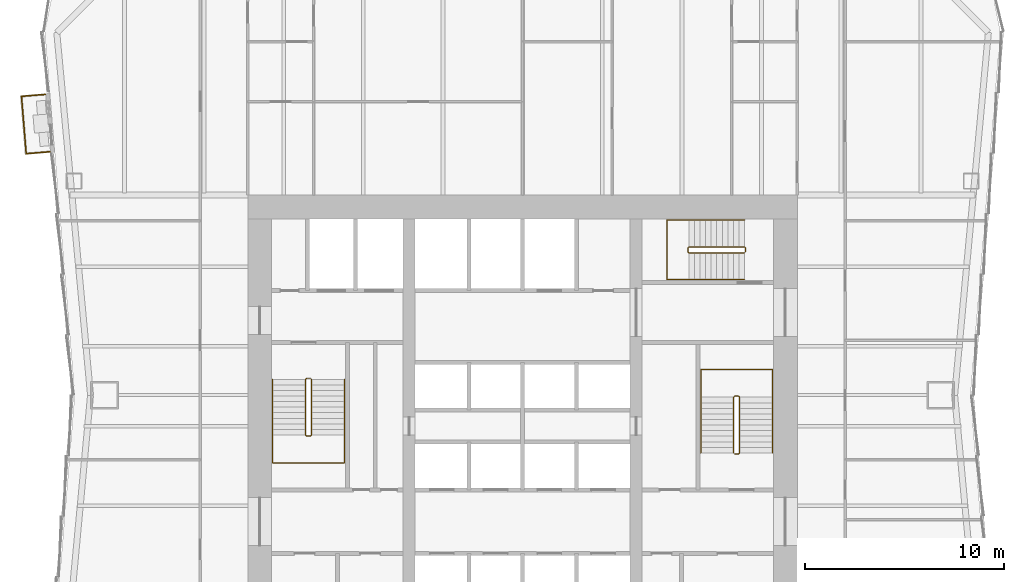
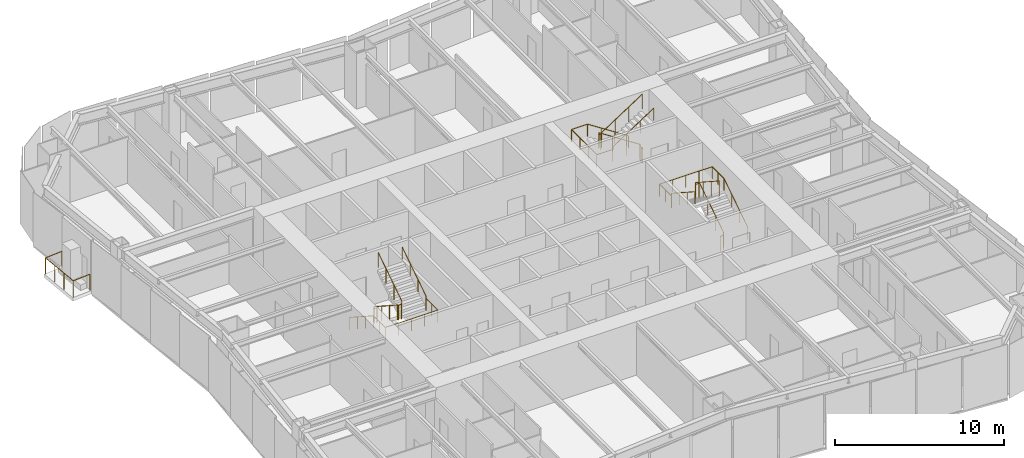
# One storey, part 8 of 9: 7 railings.
"""IFC4 building model written with IfcOpenShell, lengths in metres."""

from ifc_helpers import new_model, si_unit, direction, frame, origin, origin_2d, place, context, subcontext, project, spatial, circle, extrude, material, type_object, element, save


model = new_model("IFC4")

# Units and contexts
model_context = context("Model", 3, precision=1e-05, world=origin(), true_north=direction((0.0, 1.0)))
body_context = subcontext(model_context, "Body", "Model", "MODEL_VIEW")
ifc_project = project(units=[si_unit("LENGTHUNIT", "METRE"), si_unit("AREAUNIT", "SQUARE_METRE"), si_unit("VOLUMEUNIT", "CUBIC_METRE"), si_unit("PLANEANGLEUNIT", "RADIAN"), si_unit("MASSUNIT", "GRAM", prefix="KILO")], contexts=[model_context])

# Site, building, storey
site_placement = place(None, origin())
site = spatial("IfcSite", under=ifc_project, at=site_placement, CompositionType="ELEMENT")
building_placement = place(site_placement, origin())
building = spatial("IfcBuilding", under=site, at=building_placement, Name="Verdant Reach Tower", CompositionType="ELEMENT")
storey_placement = place(building_placement, frame((0.0, 0.0, 90.0)))
storey = spatial("IfcBuildingStorey", under=building, at=storey_placement, Name="L20", CompositionType="ELEMENT", Elevation=90.0)

# Railings
ifc_material_1 = material(Name="Stainless steel", Category="steel")
railing_type_1 = type_object("IfcRailingType", Name="CO-GUARD", PredefinedType="GUARDRAIL", material=ifc_material_1)
railing_1_placement = place(storey_placement, frame((-10.64990234375, 29.60009765625, 0.0)))
element("IfcRailing", 1, at=railing_1_placement, inside=storey, type_object=railing_type_1, Name="L20 ST-1 stair guard 1", PredefinedType="GUARDRAIL", context=body_context, shape_type="SweptSolid", body=[
    extrude(circle(Radius=0.02392578125, at=origin_2d()), frame((0.0, 0.0, 1.076171875), z_axis=(-1.0, 0.0, 0.0), x_axis=(0.0, -1.0, 0.0)), (0.0, 0.0, 1.0), 0.2001953125),
    extrude(circle(Radius=0.02392578125, at=origin_2d()), frame((-0.2001953125, 0.0, 1.076171875), z_axis=(-0.25526617399, -0.256517478764, 0.932222056972), x_axis=(0.708833529934, -0.705375805398, 0.0)), (0.0, 0.0, 1.0), 0.195068359375),
    extrude(circle(Radius=0.02392578125, at=origin_2d()), frame((-0.25, -0.050048828125, 1.2578125), z_axis=(0.0, -0.838705829183, 0.544584733623), x_axis=(1.0, 0.0, 0.0)), (0.0, 0.0, 1.0), 3.338623046875),
    extrude(circle(Radius=0.02392578125, at=origin_2d()), frame((-0.25, -2.85009765625, 3.076171875), z_axis=(0.705375805398, -0.708833529934, 0.0), x_axis=(0.708833529934, 0.705375805398, 0.0)), (0.0, 0.0, 1.0), 0.070556640625),
    extrude(circle(Radius=0.02392578125, at=origin_2d()), frame((-0.2001953125, -2.900146484375, 3.076171875), z_axis=(1.0, 0.0, 0.0), x_axis=(0.0, 1.0, 0.0)), (0.0, 0.0, 1.0), 0.2001953125),
    extrude(circle(Radius=0.02392578125, at=origin_2d()), frame((0.0, -2.900146484375, 3.076171875), z_axis=(0.25526617399, 0.256517478764, 0.932222056972), x_axis=(-0.708833529934, 0.705375805398, 0.0)), (0.0, 0.0, 1.0), 0.195068359375),
    extrude(circle(Radius=0.02392578125, at=origin_2d()), frame((0.0498046875, -2.85009765625, 3.2578125), z_axis=(0.0, 0.838705829183, 0.544584733623), x_axis=(-1.0, 0.0, 0.0)), (0.0, 0.0, 1.0), 3.338623046875),
    extrude(circle(Radius=0.02099609375, at=origin_2d()), origin(), (0.0, 0.0, 1.0), 1.052001953125),
    extrude(circle(Radius=0.02099609375, at=origin_2d()), frame((-0.2001953125, 0.0, 0.0)), (0.0, 0.0, 1.0), 1.052001953125),
    extrude(circle(Radius=0.02099609375, at=origin_2d()), frame((-0.25, -0.050048828125, 0.181884765625)), (0.0, 0.0, 1.0), 1.052001953125),
    extrude(circle(Radius=0.02099609375, at=origin_2d()), frame((-0.25, -0.9833984375, 0.787841796875)), (0.0, 0.0, 1.0), 1.052001953125),
    extrude(circle(Radius=0.02099609375, at=origin_2d()), frame((-0.25, -1.916748046875, 1.39404296875)), (0.0, 0.0, 1.0), 1.052001953125),
    extrude(circle(Radius=0.02099609375, at=origin_2d()), frame((-0.25, -2.85009765625, 2.0)), (0.0, 0.0, 1.0), 1.052001953125),
    extrude(circle(Radius=0.02099609375, at=origin_2d()), frame((-0.2001953125, -2.900146484375, 2.0)), (0.0, 0.0, 1.0), 1.052001953125),
    extrude(circle(Radius=0.02099609375, at=origin_2d()), frame((0.0, -2.900146484375, 2.0)), (0.0, 0.0, 1.0), 1.052001953125),
    extrude(circle(Radius=0.02099609375, at=origin_2d()), frame((0.0498046875, -2.85009765625, 2.181884765625)), (0.0, 0.0, 1.0), 1.052001953125),
    extrude(circle(Radius=0.02099609375, at=origin_2d()), frame((0.0498046875, -1.916748046875, 2.787841796875)), (0.0, 0.0, 1.0), 1.052001953125),
    extrude(circle(Radius=0.02099609375, at=origin_2d()), frame((0.0498046875, -0.9833984375, 3.39404296875)), (0.0, 0.0, 1.0), 1.052001953125),
    extrude(circle(Radius=0.02099609375, at=origin_2d()), frame((0.0498046875, -0.050048828125, 4.0)), (0.0, 0.0, 1.0), 1.052001953125),
])
railing_2_placement = place(storey_placement, frame((10.64990234375, 25.800048828125, 0.0)))
element("IfcRailing", 2, at=railing_2_placement, inside=storey, type_object=railing_type_1, Name="L20 ST-2 stair guard 1", PredefinedType="GUARDRAIL", context=body_context, shape_type="SweptSolid", body=[
    extrude(circle(Radius=0.02392578125, at=origin_2d()), frame((0.0, 0.0, 1.076171875), z_axis=(1.0, 0.0, 0.0), x_axis=(0.0, 1.0, 0.0)), (0.0, 0.0, 1.0), 0.2001953125),
    extrude(circle(Radius=0.02392578125, at=origin_2d()), frame((0.2001953125, 0.0, 1.076171875), z_axis=(0.25526617399, 0.256517478764, 0.932222056972), x_axis=(-0.708833529934, 0.705375805398, 0.0)), (0.0, 0.0, 1.0), 0.195068359375),
    extrude(circle(Radius=0.02392578125, at=origin_2d()), frame((0.25, 0.050048828125, 1.2578125), z_axis=(0.0, 0.83868413941, 0.544618136222), x_axis=(-1.0, 0.0, 0.0)), (0.0, 0.0, 1.0), 3.33837890625),
    extrude(circle(Radius=0.02392578125, at=origin_2d()), frame((0.25, 2.849853515625, 3.076171875), z_axis=(-0.705375805398, 0.708833529934, 0.0), x_axis=(-0.708833529934, -0.705375805398, 0.0)), (0.0, 0.0, 1.0), 0.070556640625),
    extrude(circle(Radius=0.02392578125, at=origin_2d()), frame((0.2001953125, 2.89990234375, 3.076171875), z_axis=(-1.0, 0.0, 0.0), x_axis=(0.0, -1.0, 0.0)), (0.0, 0.0, 1.0), 0.2001953125),
    extrude(circle(Radius=0.02392578125, at=origin_2d()), frame((0.0, 2.89990234375, 3.076171875), z_axis=(-0.25526617399, -0.256517478764, 0.932222056972), x_axis=(0.708833529934, -0.705375805398, 0.0)), (0.0, 0.0, 1.0), 0.195068359375),
    extrude(circle(Radius=0.02392578125, at=origin_2d()), frame((-0.0498046875, 2.849853515625, 3.2578125), z_axis=(0.0, -0.83868413941, 0.544618136222), x_axis=(1.0, 0.0, 0.0)), (0.0, 0.0, 1.0), 3.33837890625),
    extrude(circle(Radius=0.02099609375, at=origin_2d()), origin(), (0.0, 0.0, 1.0), 1.052001953125),
    extrude(circle(Radius=0.02099609375, at=origin_2d()), frame((0.2001953125, 0.0, 0.0)), (0.0, 0.0, 1.0), 1.052001953125),
    extrude(circle(Radius=0.02099609375, at=origin_2d()), frame((0.25, 0.050048828125, 0.181884765625)), (0.0, 0.0, 1.0), 1.052001953125),
    extrude(circle(Radius=0.02099609375, at=origin_2d()), frame((0.25, 0.9833984375, 0.787841796875)), (0.0, 0.0, 1.0), 1.052001953125),
    extrude(circle(Radius=0.02099609375, at=origin_2d()), frame((0.25, 1.91650390625, 1.39404296875)), (0.0, 0.0, 1.0), 1.052001953125),
    extrude(circle(Radius=0.02099609375, at=origin_2d()), frame((0.25, 2.849853515625, 2.0)), (0.0, 0.0, 1.0), 1.052001953125),
    extrude(circle(Radius=0.02099609375, at=origin_2d()), frame((0.2001953125, 2.89990234375, 2.0)), (0.0, 0.0, 1.0), 1.052001953125),
    extrude(circle(Radius=0.02099609375, at=origin_2d()), frame((0.0, 2.89990234375, 2.0)), (0.0, 0.0, 1.0), 1.052001953125),
    extrude(circle(Radius=0.02099609375, at=origin_2d()), frame((-0.0498046875, 2.849853515625, 2.181884765625)), (0.0, 0.0, 1.0), 1.052001953125),
    extrude(circle(Radius=0.02099609375, at=origin_2d()), frame((-0.0498046875, 1.91650390625, 2.787841796875)), (0.0, 0.0, 1.0), 1.052001953125),
    extrude(circle(Radius=0.02099609375, at=origin_2d()), frame((-0.0498046875, 0.9833984375, 3.39404296875)), (0.0, 0.0, 1.0), 1.052001953125),
    extrude(circle(Radius=0.02099609375, at=origin_2d()), frame((-0.0498046875, 0.050048828125, 4.0)), (0.0, 0.0, 1.0), 1.052001953125),
])
railing_3_placement = place(storey_placement, frame((11.199951171875, 35.949951171875, 0.0)))
element("IfcRailing", 3, at=railing_3_placement, inside=storey, type_object=railing_type_1, Name="L20 ST-3 stair guard 1", PredefinedType="GUARDRAIL", context=body_context, shape_type="SweptSolid", body=[
    extrude(circle(Radius=0.02392578125, at=origin_2d()), frame((0.0, 0.0, 1.076171875), z_axis=(0.0, 1.0, 0.0), x_axis=(-1.0, 0.0, 0.0)), (0.0, 0.0, 1.0), 0.199951171875),
    extrude(circle(Radius=0.02392578125, at=origin_2d()), frame((0.0, 0.199951171875, 1.076171875), z_axis=(-0.256435381639, 0.256435381639, 0.931923704005), x_axis=(-0.707106781187, -0.707106781187, 0.0)), (0.0, 0.0, 1.0), 0.195068359375),
    extrude(circle(Radius=0.02392578125, at=origin_2d()), frame((-0.050048828125, 0.25, 1.2578125), z_axis=(-0.83868413941, 0.0, 0.544618136222), x_axis=(0.0, -1.0, 0.0)), (0.0, 0.0, 1.0), 3.33837890625),
    extrude(circle(Radius=0.02392578125, at=origin_2d()), frame((-2.849853515625, 0.25, 3.076171875), z_axis=(-0.707106781187, -0.707106781187, 0.0), x_axis=(0.707106781187, -0.707106781187, 0.0)), (0.0, 0.0, 1.0), 0.07080078125),
    extrude(circle(Radius=0.02392578125, at=origin_2d()), frame((-2.89990234375, 0.199951171875, 3.076171875), z_axis=(0.0, -1.0, 0.0), x_axis=(1.0, 0.0, 0.0)), (0.0, 0.0, 1.0), 0.199951171875),
    extrude(circle(Radius=0.02392578125, at=origin_2d()), frame((-2.89990234375, 0.0, 3.076171875), z_axis=(0.256435381639, -0.256435381639, 0.931923704005), x_axis=(0.707106781187, 0.707106781187, 0.0)), (0.0, 0.0, 1.0), 0.195068359375),
    extrude(circle(Radius=0.02392578125, at=origin_2d()), frame((-2.849853515625, -0.050048828125, 3.2578125), z_axis=(0.83868413941, 0.0, 0.544618136222), x_axis=(0.0, 1.0, 0.0)), (0.0, 0.0, 1.0), 3.33837890625),
    extrude(circle(Radius=0.02099609375, at=origin_2d()), origin(), (0.0, 0.0, 1.0), 1.052001953125),
    extrude(circle(Radius=0.02099609375, at=origin_2d()), frame((0.0, 0.199951171875, 0.0)), (0.0, 0.0, 1.0), 1.052001953125),
    extrude(circle(Radius=0.02099609375, at=origin_2d()), frame((-0.050048828125, 0.25, 0.181884765625)), (0.0, 0.0, 1.0), 1.052001953125),
    extrude(circle(Radius=0.02099609375, at=origin_2d()), frame((-0.9833984375, 0.25, 0.787841796875)), (0.0, 0.0, 1.0), 1.052001953125),
    extrude(circle(Radius=0.02099609375, at=origin_2d()), frame((-1.91650390625, 0.25, 1.39404296875)), (0.0, 0.0, 1.0), 1.052001953125),
    extrude(circle(Radius=0.02099609375, at=origin_2d()), frame((-2.849853515625, 0.25, 2.0)), (0.0, 0.0, 1.0), 1.052001953125),
    extrude(circle(Radius=0.02099609375, at=origin_2d()), frame((-2.89990234375, 0.199951171875, 2.0)), (0.0, 0.0, 1.0), 1.052001953125),
    extrude(circle(Radius=0.02099609375, at=origin_2d()), frame((-2.89990234375, 0.0, 2.0)), (0.0, 0.0, 1.0), 1.052001953125),
    extrude(circle(Radius=0.02099609375, at=origin_2d()), frame((-2.849853515625, -0.050048828125, 2.181884765625)), (0.0, 0.0, 1.0), 1.052001953125),
    extrude(circle(Radius=0.02099609375, at=origin_2d()), frame((-1.91650390625, -0.050048828125, 2.787841796875)), (0.0, 0.0, 1.0), 1.052001953125),
    extrude(circle(Radius=0.02099609375, at=origin_2d()), frame((-0.9833984375, -0.050048828125, 3.39404296875)), (0.0, 0.0, 1.0), 1.052001953125),
    extrude(circle(Radius=0.02099609375, at=origin_2d()), frame((-0.050048828125, -0.050048828125, 4.0)), (0.0, 0.0, 1.0), 1.052001953125),
])
railing_type_2 = type_object("IfcRailingType", Name="CO-HANDRAIL", PredefinedType="HANDRAIL", material=ifc_material_1)
railing_4_placement = place(storey_placement, frame((-12.550048828125, 29.550048828125, 0.181884765625)))
element("IfcRailing", 4, at=railing_4_placement, inside=storey, type_object=railing_type_2, Name="L20 ST-1 stair handrail 1", PredefinedType="HANDRAIL", context=body_context, shape_type="SweptSolid", body=[
    extrude(circle(Radius=0.02392578125, at=origin_2d()), frame((0.0, 0.0, 0.8759765625), z_axis=(0.0, -0.838705829183, 0.544584733623), x_axis=(1.0, 0.0, 0.0)), (0.0, 0.0, 1.0), 3.338623046875),
    extrude(circle(Radius=0.02392578125, at=origin_2d()), frame((0.0, -2.800048828125, 2.69384765625), z_axis=(0.0, -1.0, 0.0), x_axis=(1.0, 0.0, 0.0)), (0.0, 0.0, 1.0), 1.39990234375),
    extrude(circle(Radius=0.02392578125, at=origin_2d()), frame((0.0, -4.199951171875, 2.69384765625), z_axis=(1.0, 0.0, 0.0), x_axis=(0.0, 1.0, 0.0)), (0.0, 0.0, 1.0), 3.60009765625),
    extrude(circle(Radius=0.02392578125, at=origin_2d()), frame((3.60009765625, -4.199951171875, 2.69384765625), z_axis=(0.0, 1.0, 0.0), x_axis=(-1.0, 0.0, 0.0)), (0.0, 0.0, 1.0), 1.39990234375),
    extrude(circle(Radius=0.02392578125, at=origin_2d()), frame((3.60009765625, -2.800048828125, 2.69384765625), z_axis=(0.0, 0.0, 1.0), x_axis=(1.0, 0.0, 0.0)), (0.0, 0.0, 1.0), 0.181884765625),
    extrude(circle(Radius=0.02392578125, at=origin_2d()), frame((3.60009765625, -2.800048828125, 2.8759765625), z_axis=(0.0, 0.838705829183, 0.544584733623), x_axis=(-1.0, 0.0, 0.0)), (0.0, 0.0, 1.0), 3.338623046875),
    extrude(circle(Radius=0.02099609375, at=origin_2d()), origin(), (0.0, 0.0, 1.0), 0.851806640625),
    extrude(circle(Radius=0.02099609375, at=origin_2d()), frame((0.0, -0.933349609375, 0.60595703125)), (0.0, 0.0, 1.0), 0.851806640625),
    extrude(circle(Radius=0.02099609375, at=origin_2d()), frame((0.0, -1.86669921875, 1.212158203125)), (0.0, 0.0, 1.0), 0.851806640625),
    extrude(circle(Radius=0.02099609375, at=origin_2d()), frame((0.0, -2.800048828125, 1.818115234375)), (0.0, 0.0, 1.0), 0.851806640625),
    extrude(circle(Radius=0.02099609375, at=origin_2d()), frame((0.0, -3.5, 1.818115234375)), (0.0, 0.0, 1.0), 0.851806640625),
    extrude(circle(Radius=0.02099609375, at=origin_2d()), frame((0.0, -4.199951171875, 1.818115234375)), (0.0, 0.0, 1.0), 0.851806640625),
    extrude(circle(Radius=0.02099609375, at=origin_2d()), frame((0.89990234375, -4.199951171875, 1.818115234375)), (0.0, 0.0, 1.0), 0.851806640625),
    extrude(circle(Radius=0.02099609375, at=origin_2d()), frame((1.800048828125, -4.199951171875, 1.818115234375)), (0.0, 0.0, 1.0), 0.851806640625),
    extrude(circle(Radius=0.02099609375, at=origin_2d()), frame((2.7001953125, -4.199951171875, 1.818115234375)), (0.0, 0.0, 1.0), 0.851806640625),
    extrude(circle(Radius=0.02099609375, at=origin_2d()), frame((3.60009765625, -4.199951171875, 1.818115234375)), (0.0, 0.0, 1.0), 0.851806640625),
    extrude(circle(Radius=0.02099609375, at=origin_2d()), frame((3.60009765625, -3.5, 1.818115234375)), (0.0, 0.0, 1.0), 0.851806640625),
    extrude(circle(Radius=0.02099609375, at=origin_2d()), frame((3.60009765625, -2.800048828125, 1.818115234375)), (0.0, 0.0, 1.0), 0.851806640625),
    extrude(circle(Radius=0.02099609375, at=origin_2d()), frame((3.60009765625, -2.800048828125, 2.0)), (0.0, 0.0, 1.0), 0.851806640625),
    extrude(circle(Radius=0.02099609375, at=origin_2d()), frame((3.60009765625, -1.86669921875, 2.60595703125)), (0.0, 0.0, 1.0), 0.851806640625),
    extrude(circle(Radius=0.02099609375, at=origin_2d()), frame((3.60009765625, -0.933349609375, 3.212158203125)), (0.0, 0.0, 1.0), 0.851806640625),
    extrude(circle(Radius=0.02099609375, at=origin_2d()), frame((3.60009765625, 0.0, 3.818115234375)), (0.0, 0.0, 1.0), 0.851806640625),
])
railing_5_placement = place(storey_placement, frame((12.550048828125, 25.85009765625, 0.181884765625)))
element("IfcRailing", 5, at=railing_5_placement, inside=storey, type_object=railing_type_2, Name="L20 ST-2 stair handrail 1", PredefinedType="HANDRAIL", context=body_context, shape_type="SweptSolid", body=[
    extrude(circle(Radius=0.02392578125, at=origin_2d()), frame((0.0, 0.0, 0.8759765625), z_axis=(0.0, 0.83868413941, 0.544618136222), x_axis=(-1.0, 0.0, 0.0)), (0.0, 0.0, 1.0), 3.33837890625),
    extrude(circle(Radius=0.02392578125, at=origin_2d()), frame((0.0, 2.7998046875, 2.69384765625), z_axis=(0.0, 1.0, 0.0), x_axis=(-1.0, 0.0, 0.0)), (0.0, 0.0, 1.0), 1.400146484375),
    extrude(circle(Radius=0.02392578125, at=origin_2d()), frame((0.0, 4.199951171875, 2.69384765625), z_axis=(-1.0, 0.0, 0.0), x_axis=(0.0, -1.0, 0.0)), (0.0, 0.0, 1.0), 3.60009765625),
    extrude(circle(Radius=0.02392578125, at=origin_2d()), frame((-3.60009765625, 4.199951171875, 2.69384765625), z_axis=(0.0, -1.0, 0.0), x_axis=(1.0, 0.0, 0.0)), (0.0, 0.0, 1.0), 1.400146484375),
    extrude(circle(Radius=0.02392578125, at=origin_2d()), frame((-3.60009765625, 2.7998046875, 2.69384765625), z_axis=(0.0, 0.0, 1.0), x_axis=(1.0, 0.0, 0.0)), (0.0, 0.0, 1.0), 0.181884765625),
    extrude(circle(Radius=0.02392578125, at=origin_2d()), frame((-3.60009765625, 2.7998046875, 2.8759765625), z_axis=(0.0, -0.83868413941, 0.544618136222), x_axis=(1.0, 0.0, 0.0)), (0.0, 0.0, 1.0), 3.33837890625),
    extrude(circle(Radius=0.02099609375, at=origin_2d()), origin(), (0.0, 0.0, 1.0), 0.851806640625),
    extrude(circle(Radius=0.02099609375, at=origin_2d()), frame((0.0, 0.933349609375, 0.60595703125)), (0.0, 0.0, 1.0), 0.851806640625),
    extrude(circle(Radius=0.02099609375, at=origin_2d()), frame((0.0, 1.866455078125, 1.212158203125)), (0.0, 0.0, 1.0), 0.851806640625),
    extrude(circle(Radius=0.02099609375, at=origin_2d()), frame((0.0, 2.7998046875, 1.818115234375)), (0.0, 0.0, 1.0), 0.851806640625),
    extrude(circle(Radius=0.02099609375, at=origin_2d()), frame((0.0, 3.5, 1.818115234375)), (0.0, 0.0, 1.0), 0.851806640625),
    extrude(circle(Radius=0.02099609375, at=origin_2d()), frame((0.0, 4.199951171875, 1.818115234375)), (0.0, 0.0, 1.0), 0.851806640625),
    extrude(circle(Radius=0.02099609375, at=origin_2d()), frame((-0.89990234375, 4.199951171875, 1.818115234375)), (0.0, 0.0, 1.0), 0.851806640625),
    extrude(circle(Radius=0.02099609375, at=origin_2d()), frame((-1.800048828125, 4.199951171875, 1.818115234375)), (0.0, 0.0, 1.0), 0.851806640625),
    extrude(circle(Radius=0.02099609375, at=origin_2d()), frame((-2.7001953125, 4.199951171875, 1.818115234375)), (0.0, 0.0, 1.0), 0.851806640625),
    extrude(circle(Radius=0.02099609375, at=origin_2d()), frame((-3.60009765625, 4.199951171875, 1.818115234375)), (0.0, 0.0, 1.0), 0.851806640625),
    extrude(circle(Radius=0.02099609375, at=origin_2d()), frame((-3.60009765625, 3.5, 1.818115234375)), (0.0, 0.0, 1.0), 0.851806640625),
    extrude(circle(Radius=0.02099609375, at=origin_2d()), frame((-3.60009765625, 2.7998046875, 1.818115234375)), (0.0, 0.0, 1.0), 0.851806640625),
    extrude(circle(Radius=0.02099609375, at=origin_2d()), frame((-3.60009765625, 2.7998046875, 2.0)), (0.0, 0.0, 1.0), 0.851806640625),
    extrude(circle(Radius=0.02099609375, at=origin_2d()), frame((-3.60009765625, 1.866455078125, 2.60595703125)), (0.0, 0.0, 1.0), 0.851806640625),
    extrude(circle(Radius=0.02099609375, at=origin_2d()), frame((-3.60009765625, 0.933349609375, 3.212158203125)), (0.0, 0.0, 1.0), 0.851806640625),
    extrude(circle(Radius=0.02099609375, at=origin_2d()), frame((-3.60009765625, 0.0, 3.818115234375)), (0.0, 0.0, 1.0), 0.851806640625),
])
railing_6_placement = place(storey_placement, frame((11.14990234375, 37.550048828125, 0.181884765625)))
element("IfcRailing", 6, at=railing_6_placement, inside=storey, type_object=railing_type_2, Name="L20 ST-3 stair handrail 1", PredefinedType="HANDRAIL", context=body_context, shape_type="SweptSolid", body=[
    extrude(circle(Radius=0.02392578125, at=origin_2d()), frame((0.0, 0.0, 0.8759765625), z_axis=(-0.83868413941, 0.0, 0.544618136222), x_axis=(0.0, -1.0, 0.0)), (0.0, 0.0, 1.0), 3.33837890625),
    extrude(circle(Radius=0.02392578125, at=origin_2d()), frame((-2.7998046875, 0.0, 2.69384765625), z_axis=(-1.0, 0.0, 0.0), x_axis=(0.0, -1.0, 0.0)), (0.0, 0.0, 1.0), 1.10009765625),
    extrude(circle(Radius=0.02392578125, at=origin_2d()), frame((-3.89990234375, 0.0, 2.69384765625), z_axis=(0.0, -1.0, 0.0), x_axis=(1.0, 0.0, 0.0)), (0.0, 0.0, 1.0), 3.0),
    extrude(circle(Radius=0.02392578125, at=origin_2d()), frame((-3.89990234375, -3.0, 2.69384765625), z_axis=(1.0, 0.0, 0.0), x_axis=(0.0, 1.0, 0.0)), (0.0, 0.0, 1.0), 1.10009765625),
    extrude(circle(Radius=0.02392578125, at=origin_2d()), frame((-2.7998046875, -3.0, 2.69384765625), z_axis=(0.0, 0.0, 1.0), x_axis=(1.0, 0.0, 0.0)), (0.0, 0.0, 1.0), 0.181884765625),
    extrude(circle(Radius=0.02392578125, at=origin_2d()), frame((-2.7998046875, -3.0, 2.8759765625), z_axis=(0.83868413941, 0.0, 0.544618136222), x_axis=(0.0, 1.0, 0.0)), (0.0, 0.0, 1.0), 3.33837890625),
    extrude(circle(Radius=0.02099609375, at=origin_2d()), origin(), (0.0, 0.0, 1.0), 0.851806640625),
    extrude(circle(Radius=0.02099609375, at=origin_2d()), frame((-0.933349609375, 0.0, 0.60595703125)), (0.0, 0.0, 1.0), 0.851806640625),
    extrude(circle(Radius=0.02099609375, at=origin_2d()), frame((-1.866455078125, 0.0, 1.212158203125)), (0.0, 0.0, 1.0), 0.851806640625),
    extrude(circle(Radius=0.02099609375, at=origin_2d()), frame((-2.7998046875, 0.0, 1.818115234375)), (0.0, 0.0, 1.0), 0.851806640625),
    extrude(circle(Radius=0.02099609375, at=origin_2d()), frame((-3.89990234375, 0.0, 1.818115234375)), (0.0, 0.0, 1.0), 0.851806640625),
    extrude(circle(Radius=0.02099609375, at=origin_2d()), frame((-3.89990234375, -1.0, 1.818115234375)), (0.0, 0.0, 1.0), 0.851806640625),
    extrude(circle(Radius=0.02099609375, at=origin_2d()), frame((-3.89990234375, -2.0, 1.818115234375)), (0.0, 0.0, 1.0), 0.851806640625),
    extrude(circle(Radius=0.02099609375, at=origin_2d()), frame((-3.89990234375, -3.0, 1.818115234375)), (0.0, 0.0, 1.0), 0.851806640625),
    extrude(circle(Radius=0.02099609375, at=origin_2d()), frame((-2.7998046875, -3.0, 1.818115234375)), (0.0, 0.0, 1.0), 0.851806640625),
    extrude(circle(Radius=0.02099609375, at=origin_2d()), frame((-2.7998046875, -3.0, 2.0)), (0.0, 0.0, 1.0), 0.851806640625),
    extrude(circle(Radius=0.02099609375, at=origin_2d()), frame((-1.866455078125, -3.0, 2.60595703125)), (0.0, 0.0, 1.0), 0.851806640625),
    extrude(circle(Radius=0.02099609375, at=origin_2d()), frame((-0.933349609375, -3.0, 3.212158203125)), (0.0, 0.0, 1.0), 0.851806640625),
    extrude(circle(Radius=0.02099609375, at=origin_2d()), frame((0.0, -3.0, 3.818115234375)), (0.0, 0.0, 1.0), 0.851806640625),
])
ifc_material_2 = material(Name="Stainless steel and laminated glass balustrade", Category="steel")
railing_type_3 = type_object("IfcRailingType", Name="EN-RAILING BALCONY", PredefinedType="GUARDRAIL", material=ifc_material_2)
railing_7_placement = place(storey_placement, frame((-23.978515625, 43.858154296875, 0.0)))
element("IfcRailing", 7, at=railing_7_placement, inside=storey, type_object=railing_type_3, Name="Balcony guard 1, L20", PredefinedType="GUARDRAIL", context=body_context, shape_type="SweptSolid", body=[
    extrude(circle(Radius=0.02490234375, at=origin_2d()), frame((0.0, 0.0, 1.1748046875), z_axis=(-0.996649328179, -0.081793133211, 0.0), x_axis=(0.081793133211, -0.996649328179, 0.0)), (0.0, 0.0, 1.0), 1.19384765625),
    extrude(circle(Radius=0.02490234375, at=origin_2d()), frame((-1.18994140625, -0.09765625, 1.1748046875), z_axis=(0.081863827639, -0.996643523896, 0.0), x_axis=(0.996643523896, 0.081863827639, 0.0)), (0.0, 0.0, 1.0), 2.889892578125),
    extrude(circle(Radius=0.02490234375, at=origin_2d()), frame((-0.953369140625, -2.977783203125, 1.1748046875), z_axis=(0.996649328179, 0.081793133211, 0.0), x_axis=(-0.081793133211, 0.996649328179, 0.0)), (0.0, 0.0, 1.0), 1.19384765625),
    extrude(circle(Radius=0.02490234375, at=origin_2d()), origin(), (0.0, 0.0, 1.0), 1.14990234375),
    extrude(circle(Radius=0.02490234375, at=origin_2d()), frame((-1.18994140625, -0.09765625, 0.0)), (0.0, 0.0, 1.0), 1.14990234375),
    extrude(circle(Radius=0.02490234375, at=origin_2d()), frame((-1.111083984375, -1.0576171875, 0.0)), (0.0, 0.0, 1.0), 1.14990234375),
    extrude(circle(Radius=0.02490234375, at=origin_2d()), frame((-1.0322265625, -2.017822265625, 0.0)), (0.0, 0.0, 1.0), 1.14990234375),
    extrude(circle(Radius=0.02490234375, at=origin_2d()), frame((-0.953369140625, -2.977783203125, 0.0)), (0.0, 0.0, 1.0), 1.14990234375),
    extrude(circle(Radius=0.02490234375, at=origin_2d()), frame((0.236572265625, -2.880126953125, 0.0)), (0.0, 0.0, 1.0), 1.14990234375),
])

save(model, "model.ifc")
